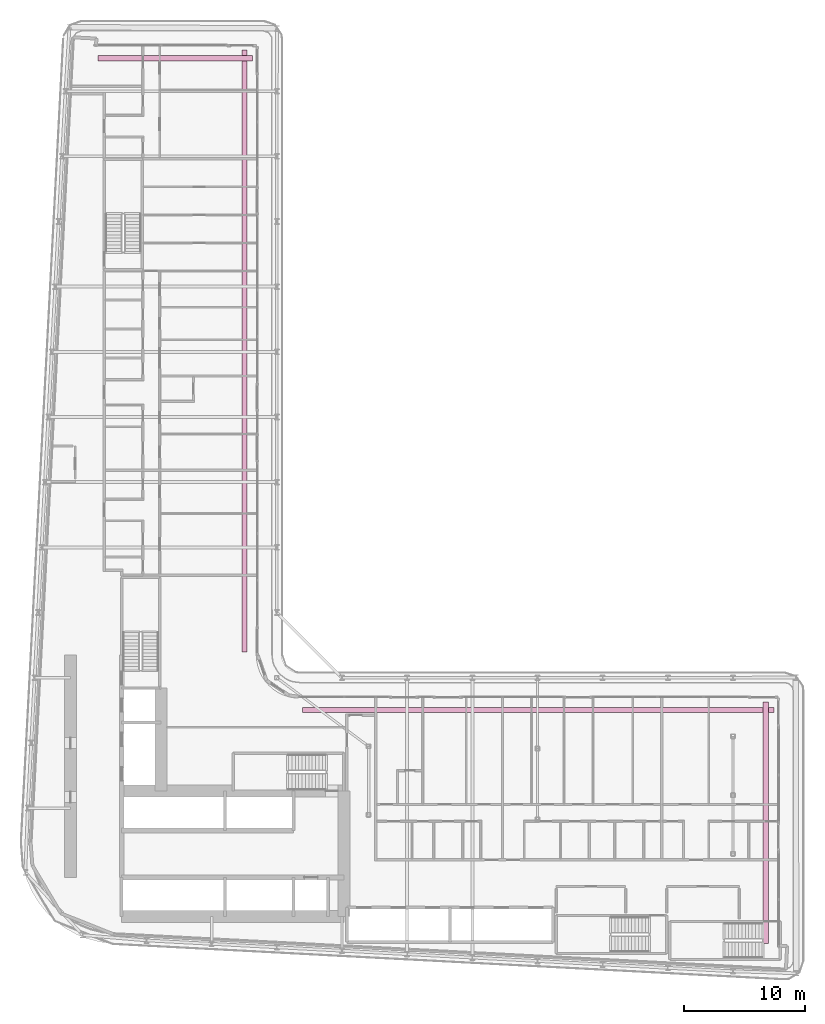
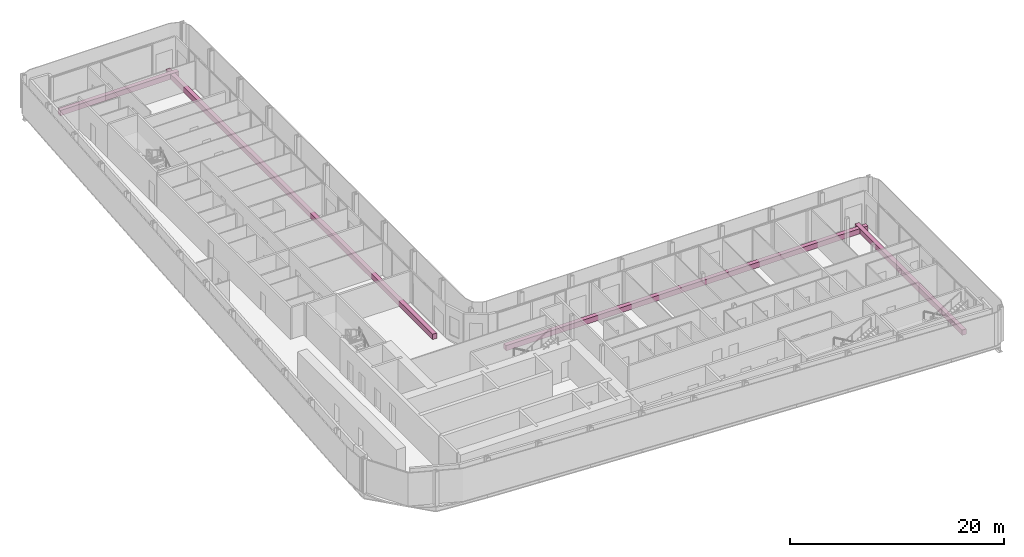
# One storey, part 24 of 24: 4 furniture elements.
"""IFC4 building model written with IfcOpenShell, lengths in metres."""

from ifc_helpers import new_model, si_unit, direction, frame, origin, origin_2d, place, context, subcontext, project, spatial, rectangle, extrude, material, type_object, element, save


model = new_model("IFC4")

# Units and contexts
model_context = context("Model", 3, precision=1e-05, world=origin(), true_north=direction((0.0, 1.0)))
body_context = subcontext(model_context, "Body", "Model", "MODEL_VIEW")
ifc_project = project(units=[si_unit("LENGTHUNIT", "METRE"), si_unit("AREAUNIT", "SQUARE_METRE"), si_unit("VOLUMEUNIT", "CUBIC_METRE"), si_unit("PLANEANGLEUNIT", "RADIAN"), si_unit("MASSUNIT", "GRAM", prefix="KILO")], contexts=[model_context])

# Site, building, storey
site_placement = place(None, origin())
site = spatial("IfcSite", under=ifc_project, at=site_placement, CompositionType="ELEMENT")
building_placement = place(site_placement, origin())
building = spatial("IfcBuilding", under=site, at=building_placement, Name="Kheshtan School and Residences Tower", CompositionType="ELEMENT")
storey_placement = place(building_placement, frame((0.0, 0.0, 38.300048828125)))
storey = spatial("IfcBuildingStorey", under=building, at=storey_placement, Name="L08", CompositionType="ELEMENT", Elevation=38.300048828125)

# Furniture
ifc_material = material(Name="Precast concrete C30/37 in terracotta finish", Category="masonry")
furniture_type = type_object("IfcFurnitureType", Name="Planter trough", AssemblyPlace="NOTDEFINED", PredefinedType="USERDEFINED", material=ifc_material)
furniture_1_placement = place(storey_placement, frame((39.196044921875, 96.925048828125, 0.0), z_axis=(0.0, 0.0, 1.0), x_axis=(1.0, 0.0, 0.0)))
element("IfcFurniture", 1, at=furniture_1_placement, inside=storey, type_object=furniture_type, Name="Planter L08", ObjectType="PLANTER", PredefinedType="USERDEFINED", context=body_context, shape_type="SweptSolid", body=[
    extrude(rectangle(XDim=12.80810546875, YDim=0.449951171875, at=origin_2d()), origin(), (0.0, 0.0, 1.0), 0.60009765625),
])
furniture_2_placement = place(storey_placement, frame((44.925048828125, 72.6650390625, 0.0), z_axis=(0.0, 0.0, 1.0), x_axis=(0.0, -1.0, 0.0)))
element("IfcFurniture", 2, at=furniture_2_placement, inside=storey, type_object=furniture_type, Name="Planter L08", ObjectType="PLANTER", PredefinedType="USERDEFINED", context=body_context, shape_type="SweptSolid", body=[
    extrude(rectangle(XDim=49.8701171875, YDim=0.449951171875, at=origin_2d()), origin(), (0.0, 0.0, 1.0), 0.60009765625),
])
furniture_3_placement = place(storey_placement, frame((69.264892578125, 42.925048828125, 0.0), z_axis=(0.0, 0.0, 1.0), x_axis=(1.0, 0.0, 0.0)))
element("IfcFurniture", 3, at=furniture_3_placement, inside=storey, type_object=furniture_type, Name="Planter L08", ObjectType="PLANTER", PredefinedType="USERDEFINED", context=body_context, shape_type="SweptSolid", body=[
    extrude(rectangle(XDim=39.070068359375, YDim=0.449951171875, at=origin_2d()), origin(), (0.0, 0.0, 1.0), 0.60009765625),
])
furniture_4_placement = place(storey_placement, frame((88.125, 33.591064453125, 0.0), z_axis=(0.0, 0.0, 1.0), x_axis=(0.0, -1.0, 0.0)))
element("IfcFurniture", 4, at=furniture_4_placement, inside=storey, type_object=furniture_type, Name="Planter L08", ObjectType="PLANTER", PredefinedType="USERDEFINED", context=body_context, shape_type="SweptSolid", body=[
    extrude(rectangle(XDim=20.01708984375, YDim=0.449951171875, at=origin_2d()), origin(), (0.0, 0.0, 1.0), 0.60009765625),
])

save(model, "model.ifc")
